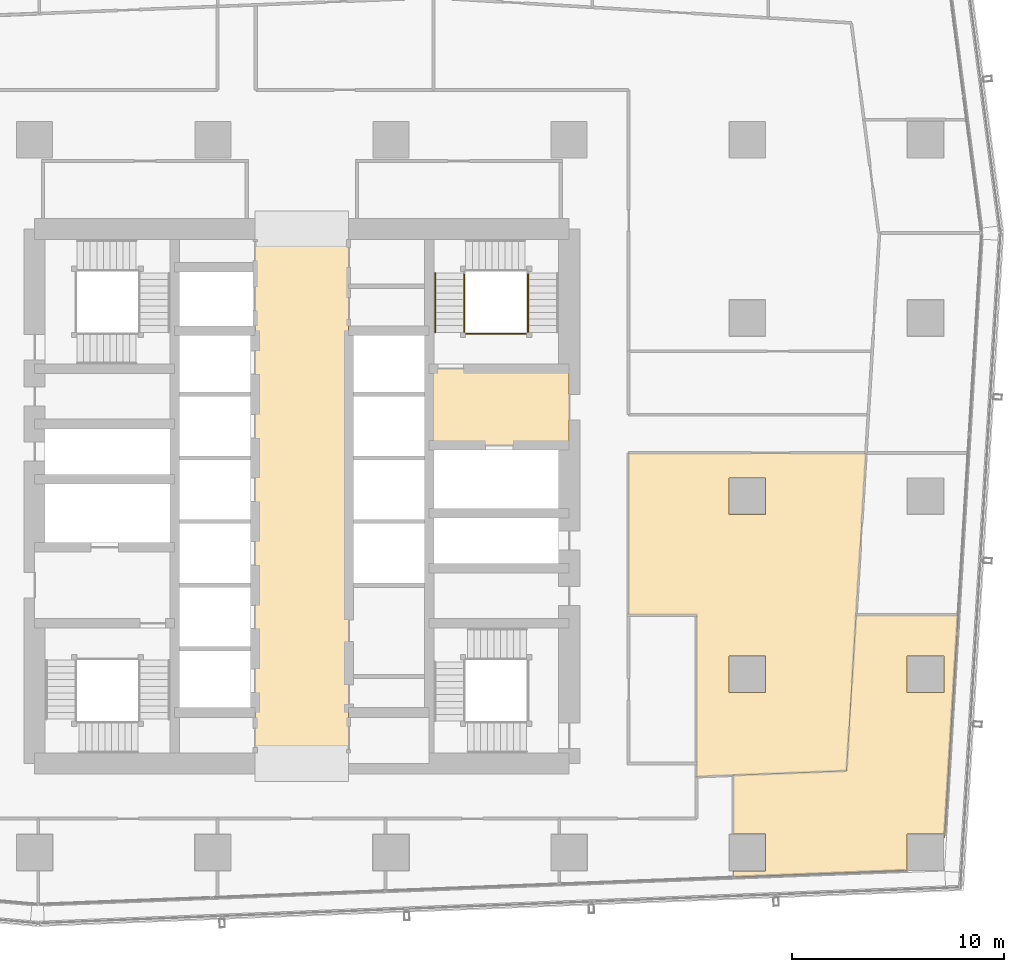
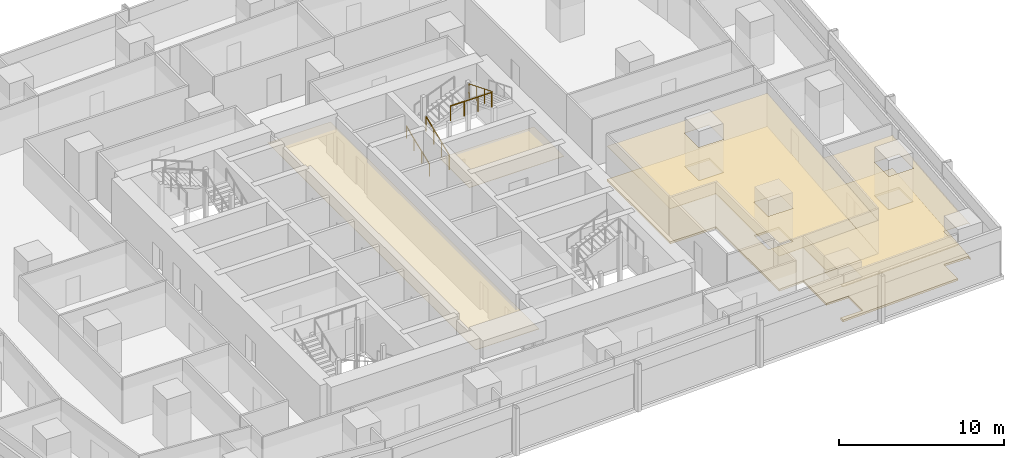
# One storey, part 38 of 40: 6 coverings, 4 railings.
"""IFC4 building model written with IfcOpenShell, lengths in metres."""

from ifc_helpers import new_model, si_unit, direction, frame, origin, origin_2d, place, context, subcontext, project, spatial, polyline, circle, outline, extrude, material, layer, layer_set, type_object, element, save


model = new_model("IFC4")

# Units and contexts
model_context = context("Model", 3, precision=1e-05, world=origin(), true_north=direction((0.0, 1.0)))
body_context = subcontext(model_context, "Body", "Model", "MODEL_VIEW")
ifc_project = project(units=[si_unit("LENGTHUNIT", "METRE"), si_unit("AREAUNIT", "SQUARE_METRE"), si_unit("VOLUMEUNIT", "CUBIC_METRE"), si_unit("PLANEANGLEUNIT", "RADIAN"), si_unit("MASSUNIT", "GRAM", prefix="KILO")], contexts=[model_context])

# Site, building, storey
site_placement = place(None, origin())
site = spatial("IfcSite", under=ifc_project, at=site_placement, CompositionType="ELEMENT")
building_placement = place(site_placement, origin())
building = spatial("IfcBuilding", under=site, at=building_placement, Name="Rekha Terrace Tower", CompositionType="ELEMENT")
storey_placement = place(building_placement, frame((0.0, 0.0, 117.800048828125)))
storey = spatial("IfcBuildingStorey", under=building, at=storey_placement, Name="L29", CompositionType="ELEMENT", Elevation=117.800048828125)

# Coverings
ifc_material_1 = material(Name="Mineral fibre tile in exposed grid", Category="finish")
ifc_layer_1 = layer(ifc_material_1, 0.02001953125)
ifc_layer_set_1 = layer_set([ifc_layer_1], Name="Mineral fibre tile in exposed grid")
covering_type_1 = type_object("IfcCoveringType", Name="CL1 600x1200 office grid ceiling", PredefinedType="CEILING", material=ifc_layer_set_1)
covering_1_placement = place(storey_placement, frame((0.0, 0.0, 2.579833984375)))
element("IfcCovering", 1, at=covering_1_placement, inside=storey, type_object=covering_type_1, Name="Ceiling L29-04", PredefinedType="CEILING", context=body_context, shape_type="SweptSolid", body=[
    extrude(outline(polyline([(63.926025390625, 27.99609375), (63.47607421875, 20.64990234375), (58.134033203125, 20.44189453125), (58.134033203125, 17.6650390625), (59.6650390625, 17.6650390625), (59.6650390625, 15.93505859375), (58.134033203125, 15.93505859375), (58.134033203125, 15.637939453125), (66.3349609375, 15.95703125), (66.3349609375, 17.6650390625), (68.06494140625, 17.6650390625), (68.06494140625, 17.48095703125), (68.090087890625, 17.48095703125), (68.735107421875, 27.99609375), (63.926025390625, 27.99609375)]), holes=[polyline([(68.06494140625, 24.3349609375), (66.3349609375, 24.3349609375), (66.3349609375, 26.06494140625), (68.06494140625, 26.06494140625), (68.06494140625, 24.3349609375)])]), origin(), (0.0, 0.0, 1.0), 0.02001953125),
])
covering_2_placement = place(storey_placement, frame((0.0, 0.0, 2.579833984375)))
element("IfcCovering", 2, at=covering_2_placement, inside=storey, type_object=covering_type_1, Name="Ceiling L29-11", PredefinedType="CEILING", context=body_context, shape_type="SweptSolid", body=[
    extrude(outline(polyline([(56.39990234375, 20.3740234375), (58.133056640625, 20.44189453125), (63.47607421875, 20.64990234375), (63.926025390625, 27.9970703125), (64.39404296875, 35.633056640625), (53.199951171875, 35.633056640625), (53.199951171875, 28.0), (56.39990234375, 28.0), (56.39990234375, 20.3740234375)]), holes=[polyline([(59.6650390625, 26.06494140625), (59.6650390625, 24.3349609375), (57.93505859375, 24.3349609375), (57.93505859375, 26.06494140625), (59.6650390625, 26.06494140625)]), polyline([(59.6650390625, 32.735107421875), (57.93505859375, 32.735107421875), (57.93505859375, 34.465087890625), (59.6650390625, 34.465087890625), (59.6650390625, 32.735107421875)])]), origin(), (0.0, 0.0, 1.0), 0.02001953125),
])
ifc_material_2 = material(Name="Powder-coated aluminium pan", Category="aluminium")
ifc_layer_2 = layer(ifc_material_2, 0.030029296875)
ifc_layer_set_2 = layer_set([ifc_layer_2], Name="Powder-coated aluminium pan")
covering_type_2 = type_object("IfcCoveringType", Name="CL3 300x1200 metal pan ceiling", PredefinedType="CEILING", material=ifc_layer_set_2)
covering_3_placement = place(storey_placement, frame((0.0, 0.0, 2.570068359375)))
element("IfcCovering", 3, at=covering_3_placement, inside=storey, type_object=covering_type_2, Name="Ceiling L29-LOBBY", PredefinedType="CEILING", context=body_context, shape_type="SweptSolid", body=[
    extrude(outline(polyline([(40.0, 46.199951171875), (35.60009765625, 46.199951171875), (35.60009765625, 21.0), (40.0, 21.0), (40.0, 46.199951171875)])), origin(), (0.0, 0.0, 1.0), 0.02978515625),
])
covering_4_placement = place(storey_placement, frame((0.0, 0.0, 2.570068359375)))
element("IfcCovering", 4, at=covering_4_placement, inside=storey, type_object=covering_type_2, Name="Ceiling L29-FLB2", PredefinedType="CEILING", context=body_context, shape_type="SweptSolid", body=[
    extrude(outline(polyline([(50.39990234375, 39.60009765625), (43.800048828125, 39.60009765625), (43.800048828125, 36.0), (50.39990234375, 36.0), (50.39990234375, 39.60009765625)])), origin(), (0.0, 0.0, 1.0), 0.02978515625),
])

# Railings
ifc_material_3 = material(Name="Stainless steel balustrade", Category="steel")
railing_type_1 = type_object("IfcRailingType", Name="GR1 1100 stair guard", PredefinedType="GUARDRAIL", material=ifc_material_3)
railing_1_placement = place(storey_placement, frame((45.465087890625, 41.324951171875, 0.125)))
element("IfcRailing", 5, at=railing_1_placement, inside=storey, type_object=railing_type_1, Name="Guard ST2 L29 flight 1", PredefinedType="GUARDRAIL", context=body_context, shape_type="SweptSolid", body=[
    extrude(circle(Radius=0.02392578125, at=origin_2d()), frame((0.0, 0.0, 1.076171875), z_axis=(0.0, 0.927443287984, 0.373963831907), x_axis=(-1.0, 0.0, 0.0)), (0.0, 0.0, 1.0), 3.00830078125),
    extrude(circle(Radius=0.02099609375, at=origin_2d()), origin(), (0.0, 0.0, 1.0), 1.052001953125),
    extrude(circle(Radius=0.02099609375, at=origin_2d()), frame((0.0, 0.929931640625, 0.375)), (0.0, 0.0, 1.0), 1.052001953125),
    extrude(circle(Radius=0.02099609375, at=origin_2d()), frame((0.0, 1.860107421875, 0.75)), (0.0, 0.0, 1.0), 1.052001953125),
    extrude(circle(Radius=0.02099609375, at=origin_2d()), frame((0.0, 2.7900390625, 1.125)), (0.0, 0.0, 1.0), 1.052001953125),
])
railing_2_placement = place(storey_placement, frame((48.4599609375, 44.114990234375, 2.625)))
element("IfcRailing", 6, at=railing_2_placement, inside=storey, type_object=railing_type_1, Name="Guard ST2 L29 flight 3", PredefinedType="GUARDRAIL", context=body_context, shape_type="SweptSolid", body=[
    extrude(circle(Radius=0.02392578125, at=origin_2d()), frame((0.0, 0.0, 1.076171875), z_axis=(0.0, -0.927443287984, 0.373963831907), x_axis=(1.0, 0.0, 0.0)), (0.0, 0.0, 1.0), 3.00830078125),
    extrude(circle(Radius=0.02099609375, at=origin_2d()), origin(), (0.0, 0.0, 1.0), 1.052001953125),
    extrude(circle(Radius=0.02099609375, at=origin_2d()), frame((0.0, -0.929931640625, 0.375)), (0.0, 0.0, 1.0), 1.052001953125),
    extrude(circle(Radius=0.02099609375, at=origin_2d()), frame((0.0, -1.860107421875, 0.75)), (0.0, 0.0, 1.0), 1.052001953125),
    extrude(circle(Radius=0.02099609375, at=origin_2d()), frame((0.0, -2.7900390625, 1.125)), (0.0, 0.0, 1.0), 1.052001953125),
])
railing_3_placement = place(storey_placement, frame((45.52490234375, 41.264892578125, 3.75)))
element("IfcRailing", 7, at=railing_3_placement, inside=storey, type_object=railing_type_1, Name="Guard ST2 L29 landing 4", PredefinedType="GUARDRAIL", context=body_context, shape_type="SweptSolid", body=[
    extrude(circle(Radius=0.02392578125, at=origin_2d()), frame((0.0, 0.0, 1.076171875), z_axis=(1.0, 0.0, 0.0), x_axis=(0.0, 1.0, 0.0)), (0.0, 0.0, 1.0), 2.875),
    extrude(circle(Radius=0.02099609375, at=origin_2d()), origin(), (0.0, 0.0, 1.0), 1.052001953125),
    extrude(circle(Radius=0.02099609375, at=origin_2d()), frame((0.958251953125, 0.0, 0.0)), (0.0, 0.0, 1.0), 1.052001953125),
    extrude(circle(Radius=0.02099609375, at=origin_2d()), frame((1.916748046875, 0.0, 0.0)), (0.0, 0.0, 1.0), 1.052001953125),
    extrude(circle(Radius=0.02099609375, at=origin_2d()), frame((2.875, 0.0, 0.0)), (0.0, 0.0, 1.0), 1.052001953125),
])
ifc_material_4 = material(Name="Stainless steel tube", Category="steel")
railing_type_2 = type_object("IfcRailingType", Name="HR1 900 stair handrail", PredefinedType="HANDRAIL", material=ifc_material_4)
railing_4_placement = place(storey_placement, frame((44.0849609375, 41.324951171875, 0.125)))
element("IfcRailing", 8, at=railing_4_placement, inside=storey, type_object=railing_type_2, Name="Handrail ST2 L29 flight 1", PredefinedType="HANDRAIL", context=body_context, shape_type="SweptSolid", body=[
    extrude(circle(Radius=0.02392578125, at=origin_2d()), frame((0.0, 0.0, 0.8759765625), z_axis=(0.0, 0.927443287984, 0.373963831907), x_axis=(-1.0, 0.0, 0.0)), (0.0, 0.0, 1.0), 3.00830078125),
    extrude(circle(Radius=0.02099609375, at=origin_2d()), origin(), (0.0, 0.0, 1.0), 0.851806640625),
    extrude(circle(Radius=0.02099609375, at=origin_2d()), frame((0.0, 0.929931640625, 0.375)), (0.0, 0.0, 1.0), 0.851806640625),
    extrude(circle(Radius=0.02099609375, at=origin_2d()), frame((0.0, 1.860107421875, 0.75)), (0.0, 0.0, 1.0), 0.851806640625),
    extrude(circle(Radius=0.02099609375, at=origin_2d()), frame((0.0, 2.7900390625, 1.125)), (0.0, 0.0, 1.0), 0.851806640625),
])

# Coverings
ifc_material_5 = material(Name="Calcium sulphate panels on steel pedestals", Category="steel")
ifc_layer_3 = layer(ifc_material_5, 0.14990234375)
ifc_layer_set_3 = layer_set([ifc_layer_3], Name="Calcium sulphate panels on steel pedestals")
covering_type_3 = type_object("IfcCoveringType", Name="RF1 150 raised access floor", PredefinedType="FLOORING", material=ifc_layer_set_3)
covering_5_placement = place(storey_placement, origin())
element("IfcCovering", 9, at=covering_5_placement, inside=storey, type_object=covering_type_3, Name="Raised floor L29-04", PredefinedType="FLOORING", context=body_context, shape_type="SweptSolid", body=[
    extrude(outline(polyline([(63.926025390625, 27.99609375), (63.47607421875, 20.64990234375), (58.134033203125, 20.44189453125), (58.134033203125, 17.6650390625), (59.6650390625, 17.6650390625), (59.6650390625, 15.93505859375), (58.134033203125, 15.93505859375), (58.134033203125, 15.637939453125), (66.3349609375, 15.95703125), (66.3349609375, 17.6650390625), (68.06494140625, 17.6650390625), (68.06494140625, 17.48095703125), (68.090087890625, 17.48095703125), (68.735107421875, 27.99609375), (63.926025390625, 27.99609375)]), holes=[polyline([(68.06494140625, 24.3349609375), (66.3349609375, 24.3349609375), (66.3349609375, 26.06494140625), (68.06494140625, 26.06494140625), (68.06494140625, 24.3349609375)])]), origin(), (0.0, 0.0, 1.0), 0.14990234375),
])
covering_6_placement = place(storey_placement, origin())
element("IfcCovering", 10, at=covering_6_placement, inside=storey, type_object=covering_type_3, Name="Raised floor L29-11", PredefinedType="FLOORING", context=body_context, shape_type="SweptSolid", body=[
    extrude(outline(polyline([(56.39990234375, 20.3740234375), (58.133056640625, 20.44189453125), (63.47607421875, 20.64990234375), (63.926025390625, 27.9970703125), (64.39404296875, 35.633056640625), (53.199951171875, 35.633056640625), (53.199951171875, 28.0), (56.39990234375, 28.0), (56.39990234375, 20.3740234375)]), holes=[polyline([(59.6650390625, 26.06494140625), (59.6650390625, 24.3349609375), (57.93505859375, 24.3349609375), (57.93505859375, 26.06494140625), (59.6650390625, 26.06494140625)]), polyline([(59.6650390625, 32.735107421875), (57.93505859375, 32.735107421875), (57.93505859375, 34.465087890625), (59.6650390625, 34.465087890625), (59.6650390625, 32.735107421875)])]), origin(), (0.0, 0.0, 1.0), 0.14990234375),
])

save(model, "model.ifc")
